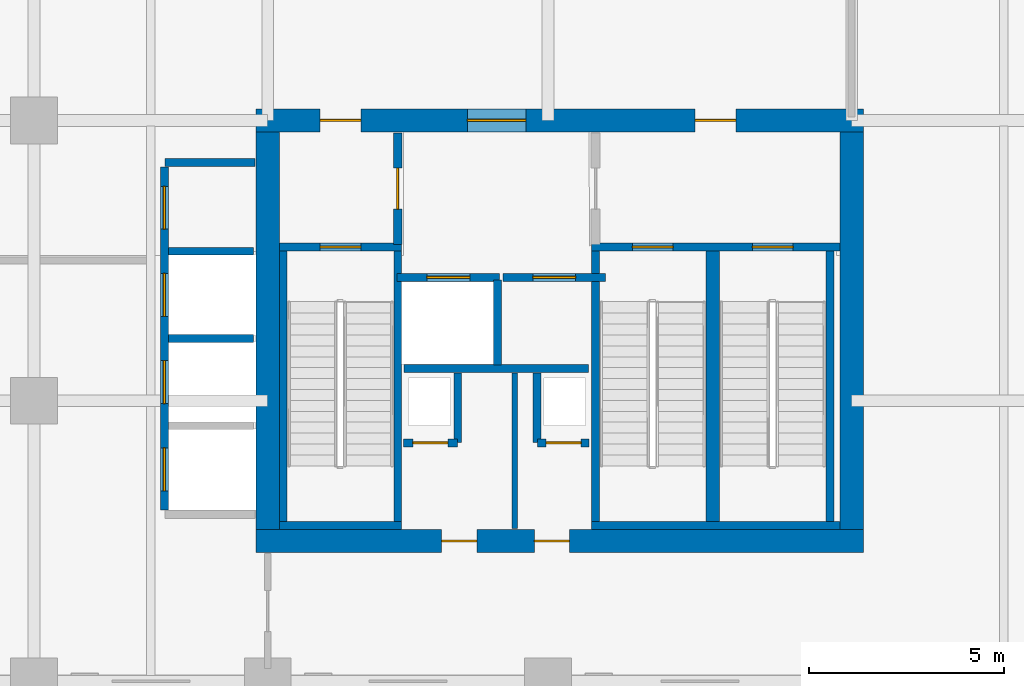
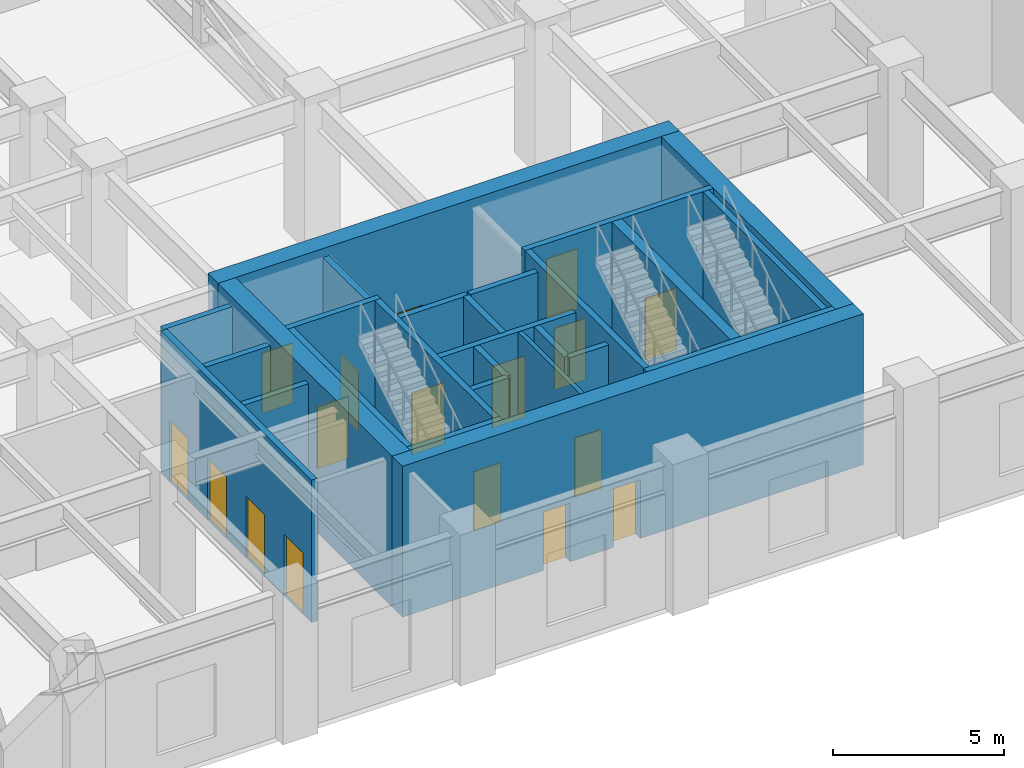
# One storey, part 11 of 19: 27 walls, 17 doors, 17 openings.
"""IFC4 building model written with IfcOpenShell, lengths in metres."""

from ifc_helpers import new_model, si_unit, derived_unit, direction, frame, frame_2d, origin, place, context, subcontext, project, spatial, rectangle, extrude, source, transform, mapped, material, layer, layer_set, type_object, type_shapes, element, fill, save


model = new_model("IFC4")

# Units and contexts
model_context = context("Model", 3, precision=1e-05, world=origin(), true_north=direction((0.0, 1.0)))
body_context = subcontext(model_context, "Body", "Model", "MODEL_VIEW")
ifc_project = project(units=[si_unit("LENGTHUNIT", "METRE"), si_unit("AREAUNIT", "SQUARE_METRE"), si_unit("VOLUMEUNIT", "CUBIC_METRE"), si_unit("PLANEANGLEUNIT", "RADIAN"), si_unit("MASSUNIT", "GRAM", prefix="KILO"), si_unit("THERMODYNAMICTEMPERATUREUNIT", "KELVIN"), si_unit("POWERUNIT", "WATT"), derived_unit("THERMALTRANSMITTANCEUNIT", [(si_unit("POWERUNIT", "WATT"), 1), (si_unit("AREAUNIT", "SQUARE_METRE"), -1), (si_unit("THERMODYNAMICTEMPERATUREUNIT", "KELVIN"), -1)])], contexts=[model_context])

# Site, building, storey
site_placement = place(None, origin())
site = spatial("IfcSite", under=ifc_project, at=site_placement, CompositionType="ELEMENT")
building_placement = place(site_placement, origin())
building = spatial("IfcBuilding", under=site, at=building_placement, Name="Zahravan Archway Hotel and Residences", CompositionType="ELEMENT")
storey_placement = place(building_placement, frame((0.0, 0.0, 21.60009765625)))
storey = spatial("IfcBuildingStorey", under=building, at=storey_placement, Name="L04", CompositionType="ELEMENT", Elevation=21.60009765625)

# Wall, openings, doors
ifc_material_1 = material(Name="Concrete C70/85", Category="concrete")
ifc_layer_1 = layer(ifc_material_1, 0.60009765625, Name="Concrete C70/85", Category="concrete")
ifc_layer_set_1 = layer_set([ifc_layer_1], Name="Concrete C70/85")
wall_type_1 = type_object("IfcWallType", Name="CW-CORE-600", PredefinedType="SHEAR", material=ifc_layer_set_1)
wall_1_placement = place(storey_placement, frame((34.5, 3.60009765625, 0.0), z_axis=(0.0, 0.0, 1.0), x_axis=(1.0, 0.0, 0.0)))
wall_1 = element("IfcWall", 1, at=wall_1_placement, inside=storey, type_object=wall_type_1, Name="L04 Core A Shear S Wall 600 mm", PredefinedType="SHEAR", context=body_context, shape_type="SweptSolid", body=[
    extrude(rectangle(XDim=15.60009765625, YDim=0.60009765625, at=frame_2d((7.800048828125, 0.0))), origin(), (0.0, 0.0, 1.0), 5.39990234375),
])
opening_1_placement = place(wall_1_placement, frame((4.77001953125, 0.0, 0.0)))
opening_1 = element("IfcOpeningElement", 2, at=opening_1_placement, cuts=wall_1, Name="Opening FD-R1", PredefinedType="OPENING", context=body_context, shape_type="SweptSolid", body=[
    extrude(rectangle(XDim=0.89990234375, YDim=2.10009765625, at=frame_2d((0.449951171875, 1.050048828125))), frame((0.0, 0.31005859375, 0.0), z_axis=(0.0, -1.0, 0.0), x_axis=(1.0, 0.0, 0.0)), (0.0, 0.0, 1.0), 0.6201171875),
])
opening_2_placement = place(wall_1_placement, frame((7.14990234375, 0.0, 0.0)))
opening_2 = element("IfcOpeningElement", 3, at=opening_2_placement, cuts=wall_1, Name="Opening FD-R1", PredefinedType="OPENING", context=body_context, shape_type="SweptSolid", body=[
    extrude(rectangle(XDim=0.89990234375, YDim=2.10009765625, at=frame_2d((0.449951171875, 1.050048828125))), frame((0.0, 0.31005859375, 0.0), z_axis=(0.0, -1.0, 0.0), x_axis=(1.0, 0.0, 0.0)), (0.0, 0.0, 1.0), 0.6201171875),
])
ifc_material_2 = material(Name="Fire-Rated Painted Steel", Category="steel")
door_type_1 = type_object("IfcDoorType", Name="FD-RISER-900", OperationType="NOTDEFINED", PredefinedType="DOOR", material=ifc_material_2)
shared_shape_1 = source(origin(), body_context, "Body", "SweptSolid", [
    extrude(rectangle(XDim=0.89990234375, YDim=2.10009765625, at=frame_2d((0.449951171875, 1.050048828125))), frame((0.0, 0.02490234375, 0.0), z_axis=(0.0, -1.0, 0.0), x_axis=(1.0, 0.0, 0.0)), (0.0, 0.0, 1.0), 0.050048828125),
])
type_shapes(door_type_1, [shared_shape_1])
door_1_placement = place(opening_1_placement, origin())
door_1 = element("IfcDoor", 4, at=door_1_placement, inside=storey, type_object=door_type_1, Name="L04 Fan Room Door", OperationType="SINGLE_SWING_RIGHT", OverallHeight=2.10009765625, OverallWidth=0.89990234375, PredefinedType="DOOR", context=body_context, shape_type="MappedRepresentation", body=[
    mapped(shared_shape_1, transform((0.0, 0.0, 0.0), scale=1.0)),
])
fill(opening_1, door_1)
door_2_placement = place(opening_2_placement, origin())
door_2 = element("IfcDoor", 5, at=door_2_placement, inside=storey, type_object=door_type_1, Name="L04 Sub-Meter Cupboard Door", OperationType="SINGLE_SWING_LEFT", OverallHeight=2.10009765625, OverallWidth=0.89990234375, PredefinedType="DOOR", context=body_context, shape_type="MappedRepresentation", body=[
    mapped(shared_shape_1, transform((0.0, 0.0, 0.0), scale=1.0)),
])
fill(opening_2, door_2)

wall_2_placement = place(storey_placement, frame((34.5, 14.39990234375, 0.0), z_axis=(0.0, 0.0, 1.0), x_axis=(1.0, 0.0, 0.0)))
wall_2 = element("IfcWall", 6, at=wall_2_placement, inside=storey, type_object=wall_type_1, Name="L04 Core A Shear N Wall 600 mm", PredefinedType="SHEAR", context=body_context, shape_type="SweptSolid", body=[
    extrude(rectangle(XDim=15.60009765625, YDim=0.60009765625, at=frame_2d((7.800048828125, 0.0))), origin(), (0.0, 0.0, 1.0), 5.39990234375),
])
opening_3_placement = place(wall_2_placement, frame((5.429931640625, 0.0, 0.0)))
opening_3 = element("IfcOpeningElement", 7, at=opening_3_placement, cuts=wall_2, Name="Opening FD-L1", PredefinedType="OPENING", context=body_context, shape_type="SweptSolid", body=[
    extrude(rectangle(XDim=1.5, YDim=2.199951171875, at=frame_2d((0.75, 1.10009765625))), frame((0.0, 0.31005859375, 0.0), z_axis=(0.0, -1.0, 0.0), x_axis=(1.0, 0.0, 0.0)), (0.0, 0.0, 1.0), 0.6201171875),
])
opening_4_placement = place(wall_2_placement, frame((1.64501953125, 0.0, 0.0)))
opening_4 = element("IfcOpeningElement", 8, at=opening_4_placement, cuts=wall_2, Name="Opening FD-L2", PredefinedType="OPENING", context=body_context, shape_type="SweptSolid", body=[
    extrude(rectangle(XDim=1.050048828125, YDim=2.14990234375, at=frame_2d((0.52490234375, 1.074951171875))), frame((0.0, 0.31005859375, 0.0), z_axis=(0.0, -1.0, 0.0), x_axis=(1.0, 0.0, 0.0)), (0.0, 0.0, 1.0), 0.6201171875),
])
opening_5_placement = place(wall_2_placement, frame((11.27490234375, 0.0, 0.0)))
opening_5 = element("IfcOpeningElement", 9, at=opening_5_placement, cuts=wall_2, Name="Opening FD-L2", PredefinedType="OPENING", context=body_context, shape_type="SweptSolid", body=[
    extrude(rectangle(XDim=1.050048828125, YDim=2.14990234375, at=frame_2d((0.52490234375, 1.074951171875))), frame((0.0, 0.31005859375, 0.0), z_axis=(0.0, -1.0, 0.0), x_axis=(1.0, 0.0, 0.0)), (0.0, 0.0, 1.0), 0.6201171875),
])
door_type_2 = type_object("IfcDoorType", Name="FD-LOBBY-1100", OperationType="NOTDEFINED", PredefinedType="DOOR", material=ifc_material_2)
shared_shape_2 = source(origin(), body_context, "Body", "SweptSolid", [
    extrude(rectangle(XDim=1.050048828125, YDim=2.14990234375, at=frame_2d((0.52490234375, 1.074951171875))), frame((0.0, 0.02490234375, 0.0), z_axis=(0.0, -1.0, 0.0), x_axis=(1.0, 0.0, 0.0)), (0.0, 0.0, 1.0), 0.050048828125),
])
type_shapes(door_type_2, [shared_shape_2])
door_3_placement = place(opening_4_placement, origin())
door_3 = element("IfcDoor", 10, at=door_3_placement, inside=storey, type_object=door_type_2, Name="L04 Core A West Stair Lobby Door", OperationType="SINGLE_SWING_RIGHT", OverallHeight=2.14990234375, OverallWidth=1.050048828125, PredefinedType="DOOR", context=body_context, shape_type="MappedRepresentation", body=[
    mapped(shared_shape_2, transform((0.0, 0.0, 0.0), scale=1.0)),
])
fill(opening_4, door_3)
door_4_placement = place(opening_5_placement, origin())
door_4 = element("IfcDoor", 11, at=door_4_placement, inside=storey, type_object=door_type_2, Name="L04 Core A East Stair Lobby Door", OperationType="SINGLE_SWING_LEFT", OverallHeight=2.14990234375, OverallWidth=1.050048828125, PredefinedType="DOOR", context=body_context, shape_type="MappedRepresentation", body=[
    mapped(shared_shape_2, transform((0.0, 0.0, 0.0), scale=1.0)),
])
fill(opening_5, door_4)
door_type_3 = type_object("IfcDoorType", Name="FD-LOBBY-1500", OperationType="DOUBLE_DOOR_SINGLE_SWING", PredefinedType="DOOR", material=ifc_material_2)
shared_shape_3 = source(origin(), body_context, "Body", "SweptSolid", [
    extrude(rectangle(XDim=1.5, YDim=2.199951171875, at=frame_2d((0.75, 1.10009765625))), frame((0.0, 0.02490234375, 0.0), z_axis=(0.0, -1.0, 0.0), x_axis=(1.0, 0.0, 0.0)), (0.0, 0.0, 1.0), 0.050048828125),
])
type_shapes(door_type_3, [shared_shape_3])
door_5_placement = place(opening_3_placement, origin())
door_5 = element("IfcDoor", 12, at=door_5_placement, inside=storey, type_object=door_type_3, Name="L04 Core A FSAE Lobby Main Door", OperationType="DOUBLE_DOOR_SINGLE_SWING", OverallHeight=2.199951171875, OverallWidth=1.5, PredefinedType="DOOR", context=body_context, shape_type="MappedRepresentation", body=[
    mapped(shared_shape_3, transform((0.0, 0.0, 0.0), scale=1.0)),
])
fill(opening_3, door_5)

# Walls
for number, where, z_axis, x_axis, name in (
    (13, (34.800048828125, 3.89990234375, 0.0), (0.0, 0.0, 1.0), (0.0, 1.0, 0.0), "L04 Core A Shear W Wall 600 mm"),
    (14, (49.800048828125, 3.89990234375, 0.0), (0.0, 0.0, 1.0), (0.0, 1.0, 0.0), "L04 Core A Shear E Wall 600 mm"),
):
    element("IfcWall", number, at=place(storey_placement, frame(where, z_axis=z_axis, x_axis=x_axis)), inside=storey, type_object=wall_type_1, Name=name, PredefinedType="SHEAR", context=body_context, shape_type="SweptSolid", body=[
        extrude(rectangle(XDim=10.2001953125, YDim=0.60009765625, at=frame_2d((5.10009765625, 0.0))), origin(), (0.0, 0.0, 1.0), 5.39990234375),
    ])

# Wall, opening, door
ifc_material_3 = material(Name="Fire-Rated Gypsum & Concrete Block", Category="concrete")
ifc_layer_2 = layer(ifc_material_3, 0.219970703125, Name="Fire-Rated Gypsum & Concrete Block", Category="concrete")
ifc_layer_set_2 = layer_set([ifc_layer_2], Name="Fire-Rated Gypsum & Concrete Block")
wall_type_2 = type_object("IfcWallType", Name="PW-COMP-220", PredefinedType="PARTITIONING", material=ifc_layer_set_2)
wall_3_placement = place(storey_placement, frame((38.139892578125, 11.219970703125, 0.0), z_axis=(0.0, 0.0, 1.0), x_axis=(0.0, 1.0, 0.0)))
wall_3 = element("IfcWall", 15, at=wall_3_placement, inside=storey, type_object=wall_type_2, Name="L04 Partition CA-LOBW", PredefinedType="PARTITIONING", context=body_context, shape_type="SweptSolid", body=[
    extrude(rectangle(XDim=2.860107421875, YDim=0.219970703125, at=frame_2d((1.43017578125, 0.0))), origin(), (0.0, 0.0, 1.0), 5.099853515625),
])
opening_6_placement = place(wall_3_placement, frame((0.905029296875, 0.0, 0.0)))
opening_6 = element("IfcOpeningElement", 16, at=opening_6_placement, cuts=wall_3, Name="Opening FD-L2", PredefinedType="OPENING", context=body_context, shape_type="SweptSolid", body=[
    extrude(rectangle(XDim=1.050048828125, YDim=2.14990234375, at=frame_2d((0.52490234375, 1.074951171875))), frame((0.0, 0.1201171875, 0.0), z_axis=(0.0, -1.0, 0.0), x_axis=(1.0, 0.0, 0.0)), (0.0, 0.0, 1.0), 0.239990234375),
])
door_6_placement = place(opening_6_placement, origin())
door_6 = element("IfcDoor", 17, at=door_6_placement, inside=storey, type_object=door_type_2, Name="L04 Core A West Stair to FSAE Lobby Door", OperationType="SINGLE_SWING_RIGHT", OverallHeight=2.14990234375, OverallWidth=1.050048828125, PredefinedType="DOOR", context=body_context, shape_type="MappedRepresentation", body=[
    mapped(shared_shape_2, transform((0.0, 0.0, 0.0), scale=1.0)),
])
fill(opening_6, door_6)

# Walls
ifc_layer_3 = layer(ifc_material_3, 0.199951171875, Name="Fire-Rated Gypsum & Concrete Block", Category="concrete")
ifc_layer_set_3 = layer_set([ifc_layer_3], Name="Fire-Rated Gypsum & Concrete Block")
wall_type_3 = type_object("IfcWallType", Name="PW-SHAFT-200", PredefinedType="PARTITIONING", material=ifc_layer_set_3)
wall_4_placement = place(storey_placement, frame((38.300048828125, 8.030029296875, 0.0), z_axis=(0.0, 0.0, 1.0), x_axis=(1.0, 0.0, 0.0)))
element("IfcWall", 18, at=wall_4_placement, inside=storey, type_object=wall_type_3, Name="L04 Partition CA-FLS", PredefinedType="PARTITIONING", context=body_context, shape_type="SweptSolid", body=[
    extrude(rectangle(XDim=4.739990234375, YDim=0.199951171875, at=frame_2d((2.3701171875, 0.0))), origin(), (0.0, 0.0, 1.0), 5.099853515625),
])
wall_5_placement = place(storey_placement, frame((40.699951171875, 8.1201171875, 0.0), z_axis=(0.0, 0.0, 1.0), x_axis=(0.0, 1.0, 0.0)))
element("IfcWall", 19, at=wall_5_placement, inside=storey, type_object=wall_type_3, Name="L04 Partition CA-FLM", PredefinedType="PARTITIONING", context=body_context, shape_type="SweptSolid", body=[
    extrude(rectangle(XDim=2.179931640625, YDim=0.199951171875, at=frame_2d((1.08984375, 0.0))), origin(), (0.0, 0.0, 1.0), 5.099853515625),
])

# Wall, opening, door
wall_6_placement = place(storey_placement, frame((38.2900390625, 6.1201171875, 0.0), z_axis=(0.0, 0.0, 1.0), x_axis=(1.0, 0.0, 0.0)))
wall_6 = element("IfcWall", 20, at=wall_6_placement, inside=storey, type_object=wall_type_3, Name="L04 Partition CA-SMKS", PredefinedType="PARTITIONING", context=body_context, shape_type="SweptSolid", body=[
    extrude(rectangle(XDim=1.3798828125, YDim=0.199951171875, at=frame_2d((0.68994140625, 0.0))), origin(), (0.0, 0.0, 1.0), 5.099853515625),
])
opening_7_placement = place(wall_6_placement, frame((0.239990234375, 0.0, 0.0)))
opening_7 = element("IfcOpeningElement", 21, at=opening_7_placement, cuts=wall_6, Name="Opening FD-R1", PredefinedType="OPENING", context=body_context, shape_type="SweptSolid", body=[
    extrude(rectangle(XDim=0.89990234375, YDim=2.10009765625, at=frame_2d((0.449951171875, 1.050048828125))), frame((0.0, 0.10986328125, 0.0), z_axis=(0.0, -1.0, 0.0), x_axis=(1.0, 0.0, 0.0)), (0.0, 0.0, 1.0), 0.219970703125),
])
door_7_placement = place(opening_7_placement, origin())
door_7 = element("IfcDoor", 22, at=door_7_placement, inside=storey, type_object=door_type_1, Name="L04 Smoke Riser Access Door", OperationType="SINGLE_SWING_RIGHT", OverallHeight=2.10009765625, OverallWidth=0.89990234375, PredefinedType="DOOR", context=body_context, shape_type="MappedRepresentation", body=[
    mapped(shared_shape_1, transform((0.0, 0.0, 0.0), scale=1.0)),
])
fill(opening_7, door_7)

# Wall
wall_7_placement = place(storey_placement, frame((39.679931640625, 6.1298828125, 0.0), z_axis=(0.0, 0.0, 1.0), x_axis=(0.0, 1.0, 0.0)))
element("IfcWall", 23, at=wall_7_placement, inside=storey, type_object=wall_type_3, Name="L04 Partition CA-SMKE", PredefinedType="PARTITIONING", context=body_context, shape_type="SweptSolid", body=[
    extrude(rectangle(XDim=1.7900390625, YDim=0.199951171875, at=frame_2d((0.89501953125, 0.0))), origin(), (0.0, 0.0, 1.0), 5.099853515625),
])

# Wall, opening, door
wall_8_placement = place(storey_placement, frame((41.72998046875, 6.1201171875, 0.0), z_axis=(0.0, 0.0, 1.0), x_axis=(1.0, 0.0, 0.0)))
wall_8 = element("IfcWall", 24, at=wall_8_placement, inside=storey, type_object=wall_type_3, Name="L04 Partition CA-MEPS", PredefinedType="PARTITIONING", context=body_context, shape_type="SweptSolid", body=[
    extrude(rectangle(XDim=1.320068359375, YDim=0.199951171875, at=frame_2d((0.66015625, 0.0))), origin(), (0.0, 0.0, 1.0), 5.099853515625),
])
opening_8_placement = place(wall_8_placement, frame((0.219970703125, 0.0, 0.0)))
opening_8 = element("IfcOpeningElement", 25, at=opening_8_placement, cuts=wall_8, Name="Opening FD-R1", PredefinedType="OPENING", context=body_context, shape_type="SweptSolid", body=[
    extrude(rectangle(XDim=0.89990234375, YDim=2.10009765625, at=frame_2d((0.449951171875, 1.050048828125))), frame((0.0, 0.10986328125, 0.0), z_axis=(0.0, -1.0, 0.0), x_axis=(1.0, 0.0, 0.0)), (0.0, 0.0, 1.0), 0.219970703125),
])
door_8_placement = place(opening_8_placement, origin())
door_8 = element("IfcDoor", 26, at=door_8_placement, inside=storey, type_object=door_type_1, Name="L04 MEP Riser Access Door", OperationType="SINGLE_SWING_LEFT", OverallHeight=2.10009765625, OverallWidth=0.89990234375, PredefinedType="DOOR", context=body_context, shape_type="MappedRepresentation", body=[
    mapped(shared_shape_1, transform((0.0, 0.0, 0.0), scale=1.0)),
])
fill(opening_8, door_8)

# Walls
wall_9_placement = place(storey_placement, frame((41.719970703125, 6.1298828125, 0.0), z_axis=(0.0, 0.0, 1.0), x_axis=(0.0, 1.0, 0.0)))
element("IfcWall", 27, at=wall_9_placement, inside=storey, type_object=wall_type_3, Name="L04 Partition CA-MEPW", PredefinedType="PARTITIONING", context=body_context, shape_type="SweptSolid", body=[
    extrude(rectangle(XDim=1.7900390625, YDim=0.199951171875, at=frame_2d((0.89501953125, 0.0))), origin(), (0.0, 0.0, 1.0), 5.099853515625),
])
wall_10_placement = place(storey_placement, frame((32.159912109375, 13.320068359375, 0.0), z_axis=(0.0, 0.0, 1.0), x_axis=(1.0, 0.0, 0.0)))
element("IfcWall", 28, at=wall_10_placement, inside=storey, type_object=wall_type_3, Name="L04 Partition B3-N", PredefinedType="PARTITIONING", context=body_context, shape_type="SweptSolid", body=[
    extrude(rectangle(XDim=2.31005859375, YDim=0.199951171875, at=frame_2d((1.155029296875, 0.0))), origin(), (0.0, 0.0, 1.0), 5.099853515625),
])

# Wall, openings, doors
wall_11_placement = place(storey_placement, frame((32.14990234375, 4.389892578125, 0.0), z_axis=(0.0, 0.0, 1.0), x_axis=(0.0, 1.0, 0.0)))
wall_11 = element("IfcWall", 29, at=wall_11_placement, inside=storey, type_object=wall_type_3, Name="L04 Partition B3-W", PredefinedType="PARTITIONING", context=body_context, shape_type="SweptSolid", body=[
    extrude(rectangle(XDim=8.820068359375, YDim=0.199951171875, at=frame_2d((4.41015625, 0.0))), origin(), (0.0, 0.0, 1.0), 5.099853515625),
])
opening_9_placement = place(wall_11_placement, frame((0.5, 0.0, 0.0)))
opening_9 = element("IfcOpeningElement", 30, at=opening_9_placement, cuts=wall_11, Name="Opening LD", PredefinedType="OPENING", context=body_context, shape_type="SweptSolid", body=[
    extrude(rectangle(XDim=1.10009765625, YDim=2.199951171875, at=frame_2d((0.550048828125, 1.10009765625))), frame((0.0, 0.10986328125, 0.0), z_axis=(0.0, -1.0, 0.0), x_axis=(1.0, 0.0, 0.0)), (0.0, 0.0, 1.0), 0.219970703125),
])
opening_10_placement = place(wall_11_placement, frame((2.739990234375, 0.0, 0.0)))
opening_10 = element("IfcOpeningElement", 31, at=opening_10_placement, cuts=wall_11, Name="Opening LD", PredefinedType="OPENING", context=body_context, shape_type="SweptSolid", body=[
    extrude(rectangle(XDim=1.10009765625, YDim=2.199951171875, at=frame_2d((0.550048828125, 1.10009765625))), frame((0.0, 0.10986328125, 0.0), z_axis=(0.0, -1.0, 0.0), x_axis=(1.0, 0.0, 0.0)), (0.0, 0.0, 1.0), 0.219970703125),
])
opening_11_placement = place(wall_11_placement, frame((4.97998046875, 0.0, 0.0)))
opening_11 = element("IfcOpeningElement", 32, at=opening_11_placement, cuts=wall_11, Name="Opening LD", PredefinedType="OPENING", context=body_context, shape_type="SweptSolid", body=[
    extrude(rectangle(XDim=1.10009765625, YDim=2.199951171875, at=frame_2d((0.550048828125, 1.10009765625))), frame((0.0, 0.10986328125, 0.0), z_axis=(0.0, -1.0, 0.0), x_axis=(1.0, 0.0, 0.0)), (0.0, 0.0, 1.0), 0.219970703125),
])
opening_12_placement = place(wall_11_placement, frame((7.219970703125, 0.0, 0.0)))
opening_12 = element("IfcOpeningElement", 33, at=opening_12_placement, cuts=wall_11, Name="Opening LD", PredefinedType="OPENING", context=body_context, shape_type="SweptSolid", body=[
    extrude(rectangle(XDim=1.10009765625, YDim=2.199951171875, at=frame_2d((0.550048828125, 1.10009765625))), frame((0.0, 0.10986328125, 0.0), z_axis=(0.0, -1.0, 0.0), x_axis=(1.0, 0.0, 0.0)), (0.0, 0.0, 1.0), 0.219970703125),
])
ifc_material_4 = material(Name="Brushed Stainless Steel", Category="steel")
door_type_4 = type_object("IfcDoorType", Name="DR-LIFT-LD", OperationType="SLIDING_TO_LEFT", PredefinedType="DOOR", material=ifc_material_4)
shared_shape_4 = source(origin(), body_context, "Body", "SweptSolid", [
    extrude(rectangle(XDim=1.10009765625, YDim=2.199951171875, at=frame_2d((0.550048828125, 1.10009765625))), frame((0.0, 0.02490234375, 0.0), z_axis=(0.0, -1.0, 0.0), x_axis=(1.0, 0.0, 0.0)), (0.0, 0.0, 1.0), 0.050048828125),
])
type_shapes(door_type_4, [shared_shape_4])
door_9_placement = place(opening_9_placement, origin())
door_9 = element("IfcDoor", 34, at=door_9_placement, inside=storey, type_object=door_type_4, Name="L04 Lift LP-7 Sliding Landing Door", OperationType="SLIDING_TO_LEFT", OverallHeight=2.199951171875, OverallWidth=1.10009765625, PredefinedType="DOOR", context=body_context, shape_type="MappedRepresentation", body=[
    mapped(shared_shape_4, transform((0.0, 0.0, 0.0), scale=1.0)),
])
fill(opening_9, door_9)
door_10_placement = place(opening_10_placement, origin())
door_10 = element("IfcDoor", 35, at=door_10_placement, inside=storey, type_object=door_type_4, Name="L04 Lift LP-8 Sliding Landing Door", OperationType="SLIDING_TO_LEFT", OverallHeight=2.199951171875, OverallWidth=1.10009765625, PredefinedType="DOOR", context=body_context, shape_type="MappedRepresentation", body=[
    mapped(shared_shape_4, transform((0.0, 0.0, 0.0), scale=1.0)),
])
fill(opening_10, door_10)
door_11_placement = place(opening_11_placement, origin())
door_11 = element("IfcDoor", 36, at=door_11_placement, inside=storey, type_object=door_type_4, Name="L04 Lift LP-9 Sliding Landing Door", OperationType="SLIDING_TO_LEFT", OverallHeight=2.199951171875, OverallWidth=1.10009765625, PredefinedType="DOOR", context=body_context, shape_type="MappedRepresentation", body=[
    mapped(shared_shape_4, transform((0.0, 0.0, 0.0), scale=1.0)),
])
fill(opening_11, door_11)
door_12_placement = place(opening_12_placement, origin())
door_12 = element("IfcDoor", 37, at=door_12_placement, inside=storey, type_object=door_type_4, Name="L04 Lift LP-10 Sliding Landing Door", OperationType="SLIDING_TO_LEFT", OverallHeight=2.199951171875, OverallWidth=1.10009765625, PredefinedType="DOOR", context=body_context, shape_type="MappedRepresentation", body=[
    mapped(shared_shape_4, transform((0.0, 0.0, 0.0), scale=1.0)),
])
fill(opening_12, door_12)

# Walls
for number, where, z_axis, x_axis, name in (
    (38, (32.260009765625, 8.800048828125, 0.0), (0.0, 0.0, 1.0), (1.0, 0.0, 0.0), "L04 Partition B3-D"),
    (39, (32.260009765625, 11.0400390625, 0.0), (0.0, 0.0, 1.0), (1.0, 0.0, 0.0), "L04 Partition B3-D"),
):
    element("IfcWall", number, at=place(storey_placement, frame(where, z_axis=z_axis, x_axis=x_axis)), inside=storey, type_object=wall_type_3, Name=name, PredefinedType="PARTITIONING", context=body_context, shape_type="SweptSolid", body=[
        extrude(rectangle(XDim=2.179931640625, YDim=0.199951171875, at=frame_2d((1.08984375, 0.0))), origin(), (0.0, 0.0, 1.0), 5.099853515625),
    ])

# Wall, opening, door
wall_12_placement = place(storey_placement, frame((38.1201171875, 10.3701171875, 0.0), z_axis=(0.0, 0.0, 1.0), x_axis=(1.0, 0.0, 0.0)))
wall_12 = element("IfcWall", 40, at=wall_12_placement, inside=storey, type_object=wall_type_3, Name="L04 Lift FL-1 Front Wall", PredefinedType="PARTITIONING", context=body_context, shape_type="SweptSolid", body=[
    extrude(rectangle(XDim=2.639892578125, YDim=0.199951171875, at=frame_2d((1.31982421875, 0.0))), origin(), (0.0, 0.0, 1.0), 5.099853515625),
])
opening_13_placement = place(wall_12_placement, frame((0.77001953125, 0.0, 0.0)))
opening_13 = element("IfcOpeningElement", 41, at=opening_13_placement, cuts=wall_12, Name="Opening LD", PredefinedType="OPENING", context=body_context, shape_type="SweptSolid", body=[
    extrude(rectangle(XDim=1.10009765625, YDim=2.199951171875, at=frame_2d((0.550048828125, 1.10009765625))), frame((0.0, 0.10986328125, 0.0), z_axis=(0.0, -1.0, 0.0), x_axis=(1.0, 0.0, 0.0)), (0.0, 0.0, 1.0), 0.219970703125),
])
door_13_placement = place(opening_13_placement, origin())
door_13 = element("IfcDoor", 42, at=door_13_placement, inside=storey, type_object=door_type_4, Name="L04 Lift FL-1 Sliding Landing Door", OperationType="SLIDING_TO_LEFT", OverallHeight=2.199951171875, OverallWidth=1.10009765625, PredefinedType="DOOR", context=body_context, shape_type="MappedRepresentation", body=[
    mapped(shared_shape_4, transform((0.0, 0.0, 0.0), scale=1.0)),
])
fill(opening_13, door_13)

wall_13_placement = place(storey_placement, frame((40.840087890625, 10.3701171875, 0.0), z_axis=(0.0, 0.0, 1.0), x_axis=(1.0, 0.0, 0.0)))
wall_13 = element("IfcWall", 43, at=wall_13_placement, inside=storey, type_object=wall_type_3, Name="L04 Lift FL-2 Front Wall", PredefinedType="PARTITIONING", context=body_context, shape_type="SweptSolid", body=[
    extrude(rectangle(XDim=2.639892578125, YDim=0.199951171875, at=frame_2d((1.31982421875, 0.0))), origin(), (0.0, 0.0, 1.0), 5.099853515625),
])
opening_14_placement = place(wall_13_placement, frame((0.77001953125, 0.0, 0.0)))
opening_14 = element("IfcOpeningElement", 44, at=opening_14_placement, cuts=wall_13, Name="Opening LD", PredefinedType="OPENING", context=body_context, shape_type="SweptSolid", body=[
    extrude(rectangle(XDim=1.10009765625, YDim=2.199951171875, at=frame_2d((0.550048828125, 1.10009765625))), frame((0.0, 0.10986328125, 0.0), z_axis=(0.0, -1.0, 0.0), x_axis=(1.0, 0.0, 0.0)), (0.0, 0.0, 1.0), 0.219970703125),
])
door_14_placement = place(opening_14_placement, origin())
door_14 = element("IfcDoor", 45, at=door_14_placement, inside=storey, type_object=door_type_4, Name="L04 Lift FL-2 Sliding Landing Door", OperationType="SLIDING_TO_LEFT", OverallHeight=2.199951171875, OverallWidth=1.10009765625, PredefinedType="DOOR", context=body_context, shape_type="MappedRepresentation", body=[
    mapped(shared_shape_4, transform((0.0, 0.0, 0.0), scale=1.0)),
])
fill(opening_14, door_14)

# Walls
ifc_material_5 = material(Name="Moisture-Resistant Blockwork", Category="masonry")
ifc_layer_4 = layer(ifc_material_5, 0.139892578125, Name="Moisture-Resistant Blockwork", Category="masonry")
ifc_layer_set_4 = layer_set([ifc_layer_4], Name="Moisture-Resistant Blockwork")
wall_type_4 = type_object("IfcWallType", Name="PW-WET-140", PredefinedType="PARTITIONING", material=ifc_layer_set_4)
wall_14_placement = place(storey_placement, frame((41.14990234375, 3.919921875, 0.0), z_axis=(0.0, 0.0, 1.0), x_axis=(0.0, 1.0, 0.0)))
element("IfcWall", 46, at=wall_14_placement, inside=storey, type_object=wall_type_4, Name="L04 Partition CA-CV2V", PredefinedType="PARTITIONING", context=body_context, shape_type="SweptSolid", body=[
    extrude(rectangle(XDim=3.989990234375, YDim=0.139892578125, at=frame_2d((1.9951171875, 0.0))), origin(), (0.0, 0.0, 1.0), 5.099853515625),
])
ifc_material_6 = material(Name="Concrete C50/60", Category="concrete")
ifc_layer_5 = layer(ifc_material_6, 0.199951171875, Name="Concrete C50/60", Category="concrete")
ifc_layer_set_5 = layer_set([ifc_layer_5], Name="Concrete C50/60")
wall_type_5 = type_object("IfcWallType", Name="SW-STAIR-200", PredefinedType="SHEAR", material=ifc_layer_set_5)
wall_15_placement = place(storey_placement, frame((35.10009765625, 4.0, 0.0), z_axis=(0.0, 0.0, 1.0), x_axis=(1.0, 0.0, 0.0)))
element("IfcWall", 47, at=wall_15_placement, inside=storey, type_object=wall_type_5, Name="L04 Stairwell RC Wall CA-SA1S", PredefinedType="SHEAR", context=body_context, shape_type="SweptSolid", body=[
    extrude(rectangle(XDim=3.139892578125, YDim=0.199951171875, at=frame_2d((1.56982421875, 0.0))), origin(), (0.0, 0.0, 1.0), 5.39990234375),
])
for number, where, z_axis, x_axis, name in (
    (48, (35.199951171875, 4.10009765625, 0.0), (0.0, 0.0, 1.0), (0.0, 1.0, 0.0), "L04 Stairwell RC Wall CA-SA1W"),
    (49, (38.139892578125, 4.10009765625, 0.0), (0.0, 0.0, 1.0), (0.0, 1.0, 0.0), "L04 Stairwell RC Wall CA-SA1E"),
):
    element("IfcWall", number, at=place(storey_placement, frame(where, z_axis=z_axis, x_axis=x_axis)), inside=storey, type_object=wall_type_5, Name=name, PredefinedType="SHEAR", context=body_context, shape_type="SweptSolid", body=[
        extrude(rectangle(XDim=6.949951171875, YDim=0.199951171875, at=frame_2d((3.47509765625, 0.0))), origin(), (0.0, 0.0, 1.0), 5.39990234375),
    ])

# Wall, opening, door
wall_16_placement = place(storey_placement, frame((35.10009765625, 11.14990234375, 0.0), z_axis=(0.0, 0.0, 1.0), x_axis=(1.0, 0.0, 0.0)))
wall_16 = element("IfcWall", 50, at=wall_16_placement, inside=storey, type_object=wall_type_5, Name="L04 Stairwell RC Wall CA-SA1N", PredefinedType="SHEAR", context=body_context, shape_type="SweptSolid", body=[
    extrude(rectangle(XDim=3.139892578125, YDim=0.199951171875, at=frame_2d((1.56982421875, 0.0))), origin(), (0.0, 0.0, 1.0), 5.39990234375),
])
opening_15_placement = place(wall_16_placement, frame((1.044921875, 0.0, 0.0)))
opening_15 = element("IfcOpeningElement", 51, at=opening_15_placement, cuts=wall_16, Name="Opening FD-S1", PredefinedType="OPENING", context=body_context, shape_type="SweptSolid", body=[
    extrude(rectangle(XDim=1.050048828125, YDim=2.199951171875, at=frame_2d((0.52490234375, 1.10009765625))), frame((0.0, 0.10986328125, 0.0), z_axis=(0.0, -1.0, 0.0), x_axis=(1.0, 0.0, 0.0)), (0.0, 0.0, 1.0), 0.219970703125),
])
door_type_5 = type_object("IfcDoorType", Name="FD-STAIR-1100", OperationType="NOTDEFINED", PredefinedType="DOOR", material=ifc_material_2)
shared_shape_5 = source(origin(), body_context, "Body", "SweptSolid", [
    extrude(rectangle(XDim=1.050048828125, YDim=2.199951171875, at=frame_2d((0.52490234375, 1.10009765625))), frame((0.0, 0.02490234375, 0.0), z_axis=(0.0, -1.0, 0.0), x_axis=(1.0, 0.0, 0.0)), (0.0, 0.0, 1.0), 0.050048828125),
])
type_shapes(door_type_5, [shared_shape_5])
door_15_placement = place(opening_15_placement, origin())
door_15 = element("IfcDoor", 52, at=door_15_placement, inside=storey, type_object=door_type_5, Name="L04 Stair ST-A1 Door", OperationType="SINGLE_SWING_LEFT", OverallHeight=2.199951171875, OverallWidth=1.050048828125, PredefinedType="DOOR", context=body_context, shape_type="MappedRepresentation", body=[
    mapped(shared_shape_5, transform((0.0, 0.0, 0.0), scale=1.0)),
])
fill(opening_15, door_15)

# Walls
wall_17_placement = place(storey_placement, frame((43.1201171875, 4.0, 0.0), z_axis=(0.0, 0.0, 1.0), x_axis=(1.0, 0.0, 0.0)))
element("IfcWall", 53, at=wall_17_placement, inside=storey, type_object=wall_type_5, Name="L04 Stairwell RC Wall CA-SA23S", PredefinedType="SHEAR", context=body_context, shape_type="SweptSolid", body=[
    extrude(rectangle(XDim=6.3798828125, YDim=0.199951171875, at=frame_2d((3.18994140625, 0.0))), origin(), (0.0, 0.0, 1.0), 5.39990234375),
])
for number, where, z_axis, x_axis, name in (
    (54, (43.219970703125, 4.10009765625, 0.0), (0.0, 0.0, 1.0), (0.0, 1.0, 0.0), "L04 Stairwell RC Wall CA-SA2W"),
    (55, (49.239990234375, 4.10009765625, 0.0), (0.0, 0.0, 1.0), (0.0, 1.0, 0.0), "L04 Stairwell RC Wall CA-SA3E"),
):
    element("IfcWall", number, at=place(storey_placement, frame(where, z_axis=z_axis, x_axis=x_axis)), inside=storey, type_object=wall_type_5, Name=name, PredefinedType="SHEAR", context=body_context, shape_type="SweptSolid", body=[
        extrude(rectangle(XDim=6.949951171875, YDim=0.199951171875, at=frame_2d((3.47509765625, 0.0))), origin(), (0.0, 0.0, 1.0), 5.39990234375),
    ])

# Wall, openings, doors
wall_18_placement = place(storey_placement, frame((43.1201171875, 11.14990234375, 0.0), z_axis=(0.0, 0.0, 1.0), x_axis=(1.0, 0.0, 0.0)))
wall_18 = element("IfcWall", 56, at=wall_18_placement, inside=storey, type_object=wall_type_5, Name="L04 Stairwell RC Wall CA-SA23N", PredefinedType="SHEAR", context=body_context, shape_type="SweptSolid", body=[
    extrude(rectangle(XDim=6.3798828125, YDim=0.199951171875, at=frame_2d((3.18994140625, 0.0))), origin(), (0.0, 0.0, 1.0), 5.39990234375),
])
opening_16_placement = place(wall_18_placement, frame((1.044921875, 0.0, 0.0)))
opening_16 = element("IfcOpeningElement", 57, at=opening_16_placement, cuts=wall_18, Name="Opening FD-S1", PredefinedType="OPENING", context=body_context, shape_type="SweptSolid", body=[
    extrude(rectangle(XDim=1.050048828125, YDim=2.199951171875, at=frame_2d((0.52490234375, 1.10009765625))), frame((0.0, 0.10986328125, 0.0), z_axis=(0.0, -1.0, 0.0), x_axis=(1.0, 0.0, 0.0)), (0.0, 0.0, 1.0), 0.219970703125),
])
opening_17_placement = place(wall_18_placement, frame((4.125, 0.0, 0.0)))
opening_17 = element("IfcOpeningElement", 58, at=opening_17_placement, cuts=wall_18, Name="Opening FD-S1", PredefinedType="OPENING", context=body_context, shape_type="SweptSolid", body=[
    extrude(rectangle(XDim=1.050048828125, YDim=2.199951171875, at=frame_2d((0.52490234375, 1.10009765625))), frame((0.0, 0.10986328125, 0.0), z_axis=(0.0, -1.0, 0.0), x_axis=(1.0, 0.0, 0.0)), (0.0, 0.0, 1.0), 0.219970703125),
])
door_16_placement = place(opening_16_placement, origin())
door_16 = element("IfcDoor", 59, at=door_16_placement, inside=storey, type_object=door_type_5, Name="L04 Stair ST-A2 Door", OperationType="SINGLE_SWING_RIGHT", OverallHeight=2.199951171875, OverallWidth=1.050048828125, PredefinedType="DOOR", context=body_context, shape_type="MappedRepresentation", body=[
    mapped(shared_shape_5, transform((0.0, 0.0, 0.0), scale=1.0)),
])
fill(opening_16, door_16)
door_17_placement = place(opening_17_placement, origin())
door_17 = element("IfcDoor", 60, at=door_17_placement, inside=storey, type_object=door_type_5, Name="L04 Stair ST-A3 Door", OperationType="SINGLE_SWING_LEFT", OverallHeight=2.199951171875, OverallWidth=1.050048828125, PredefinedType="DOOR", context=body_context, shape_type="MappedRepresentation", body=[
    mapped(shared_shape_5, transform((0.0, 0.0, 0.0), scale=1.0)),
])
fill(opening_17, door_17)

# Wall
ifc_layer_6 = layer(ifc_material_6, 0.340087890625, Name="Concrete C50/60", Category="concrete")
ifc_layer_set_6 = layer_set([ifc_layer_6], Name="Concrete C50/60")
wall_type_6 = type_object("IfcWallType", Name="SW-STAIR-340", PredefinedType="SHEAR", material=ifc_layer_set_6)
wall_19_placement = place(storey_placement, frame((46.22998046875, 4.10009765625, 0.0), z_axis=(0.0, 0.0, 1.0), x_axis=(0.0, 1.0, 0.0)))
element("IfcWall", 61, at=wall_19_placement, inside=storey, type_object=wall_type_6, Name="L04 Stairwell RC Wall CA-SA23M", PredefinedType="SHEAR", context=body_context, shape_type="SweptSolid", body=[
    extrude(rectangle(XDim=6.949951171875, YDim=0.340087890625, at=frame_2d((3.47509765625, 0.0))), origin(), (0.0, 0.0, 1.0), 5.39990234375),
])

save(model, "model.ifc")
